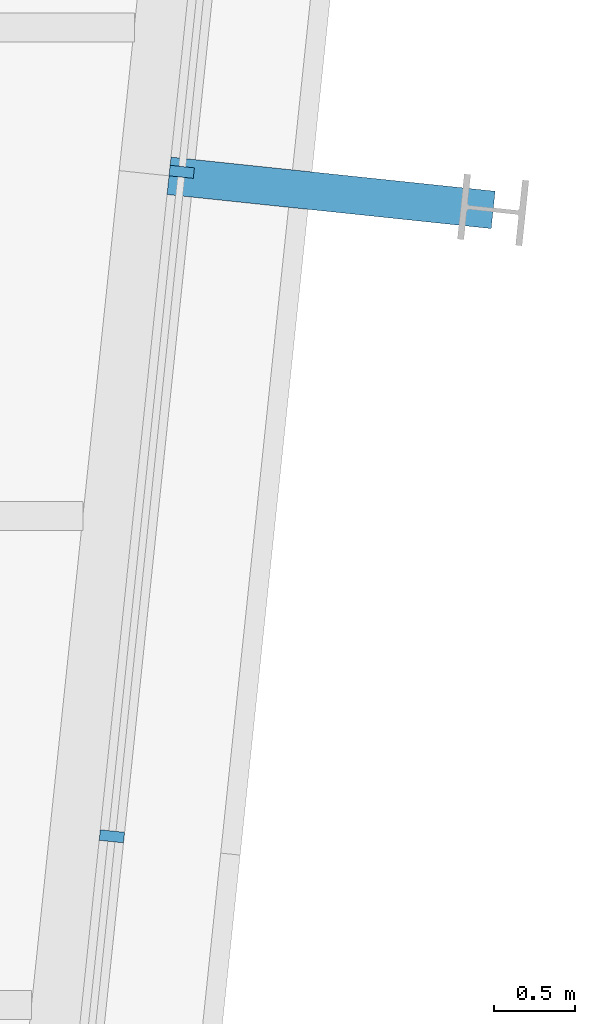
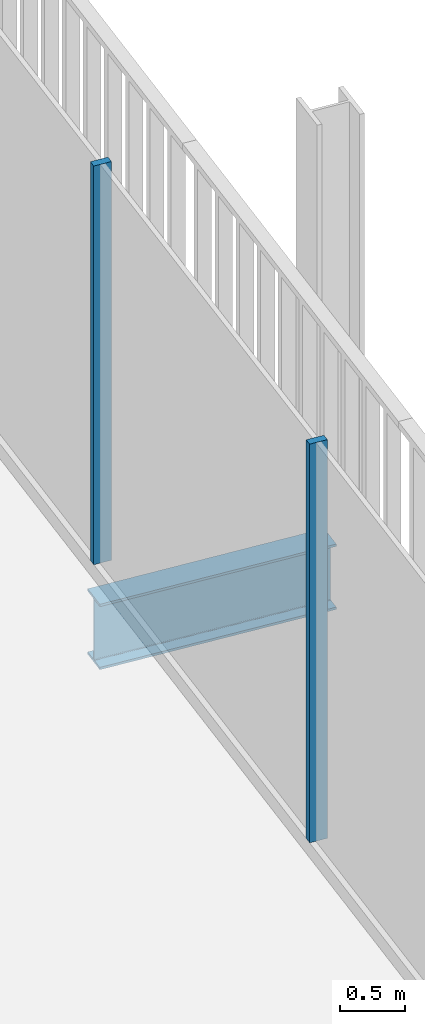
# One storey, part 11 of 20: 2 members, 1 beam, 1 element without a shape of its own.
"""IFC4 building model written with IfcOpenShell, lengths in metres."""

from ifc_helpers import new_model, si_unit, direction, frame, origin, origin_2d, place, context, subcontext, project, spatial, rectangle, i_section, extrude, material, layer, layer_set, material_profile, profile_set, type_object, element, aggregate, save


model = new_model("IFC4")

# Units and contexts
model_context = context("Model", 3, precision=1e-05, world=origin(), true_north=direction((0.0, 1.0)))
body_context = subcontext(model_context, "Body", "Model", "MODEL_VIEW")
ifc_project = project(units=[si_unit("LENGTHUNIT", "METRE"), si_unit("AREAUNIT", "SQUARE_METRE"), si_unit("VOLUMEUNIT", "CUBIC_METRE"), si_unit("PLANEANGLEUNIT", "RADIAN"), si_unit("MASSUNIT", "GRAM", prefix="KILO")], contexts=[model_context])

# Site, building, storey
site_placement = place(None, origin())
site = spatial("IfcSite", under=ifc_project, at=site_placement, CompositionType="ELEMENT")
building_placement = place(site_placement, origin())
building = spatial("IfcBuilding", under=site, at=building_placement, Name="Millrace Tower", CompositionType="ELEMENT")
storey_placement = place(building_placement, frame((0.0, 0.0, 330.39990234375)))
storey = spatial("IfcBuildingStorey", under=building, at=storey_placement, Name="L76", CompositionType="ELEMENT", Elevation=330.39990234375)

# Curtain wall, members
ifc_material_1 = material(Name="Aluminium and glass", Category="aluminium")
ifc_layer = layer(ifc_material_1, 0.14990234375)
ifc_layer_set = layer_set([ifc_layer], Name="Aluminium and glass")
curtain_wall_type = type_object("IfcCurtainWallType", Name="CW-1 office vision curtain wall", PredefinedType="NOTDEFINED", material=ifc_layer_set)
curtain_wall_placement = place(storey_placement, origin())
curtain_wall = element("IfcCurtainWall", 1, at=curtain_wall_placement, inside=storey, type_object=curtain_wall_type, Name="Curtain wall E-F04 L76", PredefinedType="NOTDEFINED")
ifc_material_2 = material(Name="Aluminium", Category="aluminium")
ifc_material_profile_1 = material_profile(ifc_material_2, rectangle(XDim=0.06494140625, YDim=0.14990234375, at=origin_2d()))
ifc_profile_set_1 = profile_set([ifc_material_profile_1], Name="Aluminium")
member_type = type_object("IfcMemberType", Name="CW-1 office vision curtain wall mullion", PredefinedType="MULLION", material=ifc_profile_set_1)
member_1_placement = place(storey_placement, frame((23.11767578125, 4.03515625, 0.14013671875), z_axis=(0.0, 0.0, 1.0), x_axis=(0.104528455196, 0.994521896217, 0.0)))
member_1 = element("IfcMember", 2, at=member_1_placement, type_object=member_type, Name="CW1 mullion E-F04.6", PredefinedType="MULLION", context=body_context, shape_type="SweptSolid", body=[
    extrude(rectangle(XDim=0.06494140625, YDim=0.14990234375, at=origin_2d()), origin(), (0.0, 0.0, 1.0), 3.760009765625),
])
member_2_placement = place(storey_placement, frame((23.546142578125, 8.11279296875, 0.14013671875), z_axis=(0.0, 0.0, 1.0), x_axis=(0.104528455196, 0.994521896217, 0.0)))
member_2 = element("IfcMember", 3, at=member_2_placement, type_object=member_type, Name="CW1 mullion E-F04.7", PredefinedType="MULLION", context=body_context, shape_type="SweptSolid", body=[
    extrude(rectangle(XDim=0.06494140625, YDim=0.14990234375, at=origin_2d()), origin(), (0.0, 0.0, 1.0), 3.760009765625),
])
aggregate(curtain_wall, [member_1, member_2])

# Beam
ifc_material_3 = material(Name="Steel ASTM A992 Grade 50", Category="steel")
ifc_material_profile_2 = material_profile(ifc_material_3, i_section(OverallWidth=0.23046875, OverallDepth=0.6171875, WebThickness=0.01318359375, FlangeThickness=0.022216796875, FilletRadius=0.012939453125, at=origin_2d()))
ifc_profile_set_2 = profile_set([ifc_material_profile_2], Name="Steel ASTM A992 Grade 50")
beam_type = type_object("IfcBeamType", Name="Link beam W24x94", PredefinedType="BEAM", material=ifc_profile_set_2)
beam_placement = place(storey_placement, frame((23.46826171875, 8.08837890625, -0.468505859375), z_axis=(0.994512808172, -0.104614886044, 0.0), x_axis=(0.104614886044, 0.994512808172, 0.0)))
element("IfcBeam", 4, at=beam_placement, inside=storey, type_object=beam_type, Name="LNK-E-L76-S1-10", PredefinedType="BEAM", context=body_context, shape_type="SweptSolid", body=[
    extrude(i_section(OverallWidth=0.23046875, OverallDepth=0.6171875, WebThickness=0.01318359375, FlangeThickness=0.022216796875, FilletRadius=0.012939453125, at=origin_2d()), origin(), (0.0, 0.0, 1.0), 2.0),
])

save(model, "model.ifc")
